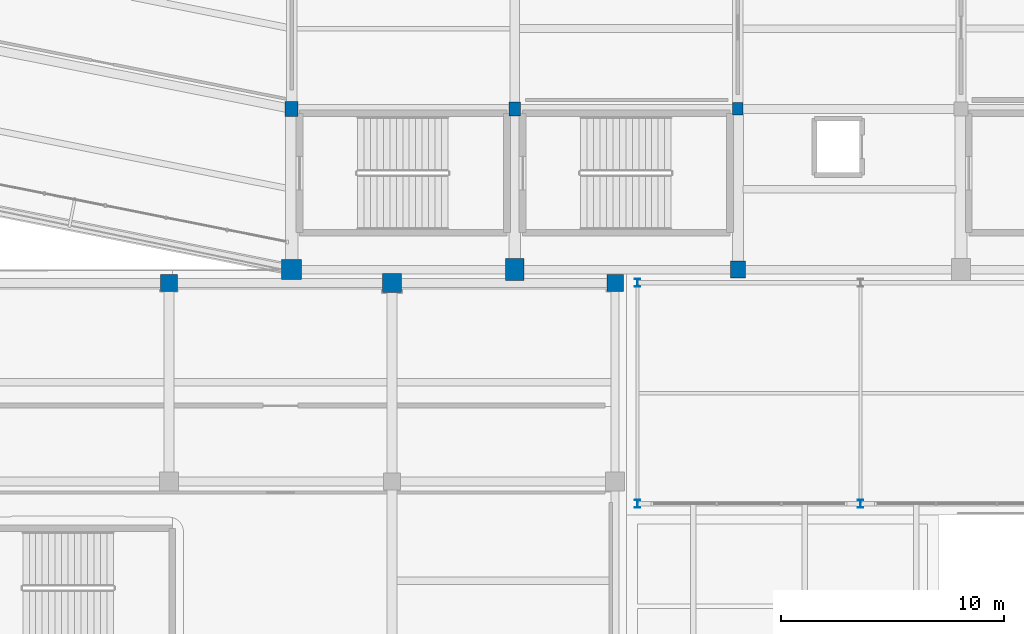
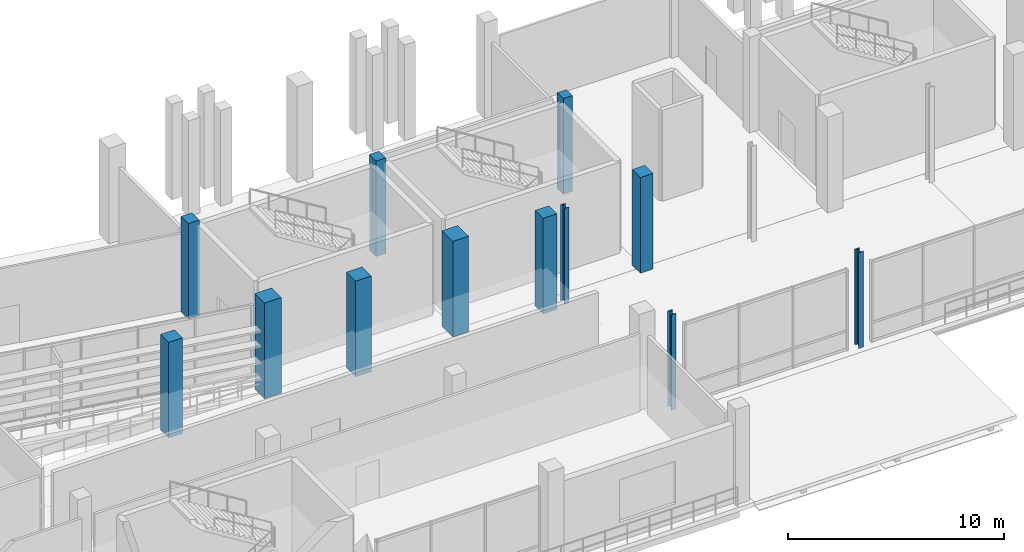
# One storey, part 2 of 114: 12 columns.
"""IFC4 building model written with IfcOpenShell, lengths in metres."""

from ifc_helpers import new_model, si_unit, direction, frame, origin, origin_2d, place, context, subcontext, project, spatial, rectangle, i_section, extrude, material, material_profile, profile_set, type_object, element, save


model = new_model("IFC4")

# Units and contexts
model_context = context("Model", 3, precision=1e-05, world=origin(), true_north=direction((0.0, 1.0)))
body_context = subcontext(model_context, "Body", "Model", "MODEL_VIEW")
ifc_project = project(units=[si_unit("LENGTHUNIT", "METRE"), si_unit("AREAUNIT", "SQUARE_METRE"), si_unit("VOLUMEUNIT", "CUBIC_METRE"), si_unit("PLANEANGLEUNIT", "RADIAN"), si_unit("MASSUNIT", "GRAM", prefix="KILO")], contexts=[model_context])

# Site, building, storey
site_placement = place(None, origin())
site = spatial("IfcSite", under=ifc_project, at=site_placement, CompositionType="ELEMENT")
building_placement = place(site_placement, origin())
building = spatial("IfcBuilding", under=site, at=building_placement, Name="Candeia Ridge Stadium", CompositionType="ELEMENT")
storey_placement = place(building_placement, frame((0.0, 0.0, 5.39990234375)))
storey = spatial("IfcBuildingStorey", under=building, at=storey_placement, Name="L01", CompositionType="ELEMENT", Elevation=5.39990234375)

# Columns
ifc_material_1 = material(Name="Concrete C45/55", Category="concrete")
ifc_material_profile_1 = material_profile(ifc_material_1, rectangle(XDim=0.89990234375, YDim=0.89990234375, at=origin_2d()), Name="RC900x900", Category="concrete")
ifc_profile_set_1 = profile_set([ifc_material_profile_1], Name="Concrete C45/55")
column_type_1 = type_object("IfcColumnType", Name="Bowl Spine Column RC900x900", PredefinedType="COLUMN", material=ifc_profile_set_1)
column_1_placement = place(storey_placement, frame((71.0, 19.0, 0.0), z_axis=(0.0, 0.0, 1.0), x_axis=(1.0, 0.0, 0.0)))
element("IfcColumn", 1, at=column_1_placement, inside=storey, type_object=column_type_1, Name="Structural column BC-OU-18 L01", PredefinedType="COLUMN", context=body_context, shape_type="SweptSolid", body=[
    extrude(rectangle(XDim=0.89990234375, YDim=0.89990234375, at=origin_2d()), origin(), (0.0, 0.0, 1.0), 5.400146484375),
])
ifc_material_2 = material(Name="Steel ASTM A572 Grade 50", Category="steel")
ifc_material_profile_2 = material_profile(ifc_material_2, i_section(OverallWidth=0.257080078125, OverallDepth=0.363037109375, WebThickness=0.012939453125, FlangeThickness=0.021728515625, FilletRadius=0.014892578125, at=origin_2d()), Name="W360x122", Category="steel")
ifc_profile_set_2 = profile_set([ifc_material_profile_2], Name="Steel ASTM A572 Grade 50")
column_type_2 = type_object("IfcColumnType", Name="Gate Steel Column W360x122", PredefinedType="COLUMN", material=ifc_profile_set_2)
for number, where, z_axis, x_axis, name in (
    (2, (86.5, 8.5, 0.0), (0.0, 0.0, 1.0), (1.0, 0.0, 0.0), "Structural column SG-00-00 L01"),
    (3, (86.5, 18.39990234375, 0.0), (0.0, 0.0, 1.0), (1.0, 0.0, 0.0), "Structural column SG-00-01 L01"),
    (4, (96.5, 8.5, 0.0), (0.0, 0.0, 1.0), (1.0, 0.0, 0.0), "Structural column SG-01-00 L01"),
):
    element("IfcColumn", number, at=place(storey_placement, frame(where, z_axis=z_axis, x_axis=x_axis)), inside=storey, type_object=column_type_2, Name=name, PredefinedType="COLUMN", context=body_context, shape_type="SweptSolid", body=[
        extrude(i_section(OverallWidth=0.257080078125, OverallDepth=0.363037109375, WebThickness=0.012939453125, FlangeThickness=0.021728515625, FilletRadius=0.014892578125, at=origin_2d()), origin(), (0.0, 0.0, 1.0), 5.400146484375),
    ])
ifc_material_3 = material(Name="Concrete C40/50", Category="concrete")
ifc_material_profile_3 = material_profile(ifc_material_3, rectangle(XDim=0.47998046875, YDim=0.56005859375, at=origin_2d()), Name="RC480x560", Category="concrete")
ifc_profile_set_3 = profile_set([ifc_material_profile_3], Name="Concrete C40/50")
column_type_3 = type_object("IfcColumnType", Name="Graduated Frame Column RC480x560", PredefinedType="COLUMN", material=ifc_profile_set_3)
column_2_placement = place(storey_placement, frame((91.0, 26.199951171875, 0.0), z_axis=(0.0, 0.0, 1.0), x_axis=(1.0, 0.0, 0.0)))
element("IfcColumn", 5, at=column_2_placement, inside=storey, type_object=column_type_3, Name="Structural column BC-M2-20 L01", PredefinedType="COLUMN", context=body_context, shape_type="SweptSolid", body=[
    extrude(rectangle(XDim=0.47998046875, YDim=0.56005859375, at=origin_2d()), origin(), (0.0, 0.0, 1.0), 5.400146484375),
])
ifc_material_profile_4 = material_profile(ifc_material_3, rectangle(XDim=0.52001953125, YDim=0.6201171875, at=origin_2d()), Name="RC520x620", Category="concrete")
ifc_profile_set_4 = profile_set([ifc_material_profile_4], Name="Concrete C40/50")
column_type_4 = type_object("IfcColumnType", Name="Graduated Frame Column RC520x620", PredefinedType="COLUMN", material=ifc_profile_set_4)
column_3_placement = place(storey_placement, frame((81.0, 26.199951171875, 0.0), z_axis=(0.0, 0.0, 1.0), x_axis=(1.0, 0.0, 0.0)))
element("IfcColumn", 6, at=column_3_placement, inside=storey, type_object=column_type_4, Name="Structural column BC-M2-19 L01", PredefinedType="COLUMN", context=body_context, shape_type="SweptSolid", body=[
    extrude(rectangle(XDim=0.52001953125, YDim=0.6201171875, at=origin_2d()), origin(), (0.0, 0.0, 1.0), 5.400146484375),
])
ifc_material_profile_5 = material_profile(ifc_material_3, rectangle(XDim=0.580078125, YDim=0.679931640625, at=origin_2d()), Name="RC580x680", Category="concrete")
ifc_profile_set_5 = profile_set([ifc_material_profile_5], Name="Concrete C40/50")
column_type_5 = type_object("IfcColumnType", Name="Graduated Frame Column RC580x680", PredefinedType="COLUMN", material=ifc_profile_set_5)
column_4_placement = place(storey_placement, frame((71.0, 26.199951171875, 0.0), z_axis=(0.0, 0.0, 1.0), x_axis=(1.0, 0.0, 0.0)))
element("IfcColumn", 7, at=column_4_placement, inside=storey, type_object=column_type_5, Name="Structural column BC-M2-18 L01", PredefinedType="COLUMN", context=body_context, shape_type="SweptSolid", body=[
    extrude(rectangle(XDim=0.580078125, YDim=0.679931640625, at=origin_2d()), origin(), (0.0, 0.0, 1.0), 5.400146484375),
])
ifc_material_profile_6 = material_profile(ifc_material_3, rectangle(XDim=0.679931640625, YDim=0.760009765625, at=origin_2d()), Name="RC680x760", Category="concrete")
ifc_profile_set_6 = profile_set([ifc_material_profile_6], Name="Concrete C40/50")
column_type_6 = type_object("IfcColumnType", Name="Graduated Frame Column RC680x760", PredefinedType="COLUMN", material=ifc_profile_set_6)
column_5_placement = place(storey_placement, frame((91.0, 19.0, 0.0), z_axis=(0.0, 0.0, 1.0), x_axis=(1.0, 0.0, 0.0)))
element("IfcColumn", 8, at=column_5_placement, inside=storey, type_object=column_type_6, Name="Structural column BC-OU-20 L01", PredefinedType="COLUMN", context=body_context, shape_type="SweptSolid", body=[
    extrude(rectangle(XDim=0.679931640625, YDim=0.760009765625, at=origin_2d()), origin(), (0.0, 0.0, 1.0), 5.400146484375),
])
ifc_material_profile_7 = material_profile(ifc_material_3, rectangle(XDim=0.75, YDim=0.75, at=origin_2d()), Name="RC750x750", Category="concrete")
ifc_profile_set_7 = profile_set([ifc_material_profile_7], Name="Concrete C40/50")
column_type_7 = type_object("IfcColumnType", Name="Reinforced Concrete Column RC750x750", PredefinedType="COLUMN", material=ifc_profile_set_7)
for number, where, z_axis, x_axis, name in (
    (9, (65.5, 18.39990234375, 0.0), (0.0, 0.0, 1.0), (1.0, 0.0, 0.0), "Structural column SWW-04-02 L01"),
    (10, (85.5, 18.39990234375, 0.0), (0.0, 0.0, 1.0), (1.0, 0.0, 0.0), "Structural column SWW-06-02 L01"),
):
    element("IfcColumn", number, at=place(storey_placement, frame(where, z_axis=z_axis, x_axis=x_axis)), inside=storey, type_object=column_type_7, Name=name, PredefinedType="COLUMN", context=body_context, shape_type="SweptSolid", body=[
        extrude(rectangle(XDim=0.75, YDim=0.75, at=origin_2d()), origin(), (0.0, 0.0, 1.0), 5.400146484375),
    ])
ifc_material_profile_8 = material_profile(ifc_material_1, rectangle(XDim=0.85009765625, YDim=1.0, at=origin_2d()), Name="RC850x1000", Category="concrete")
ifc_profile_set_8 = profile_set([ifc_material_profile_8], Name="Concrete C45/55")
column_type_8 = type_object("IfcColumnType", Name="Reinforced Concrete Column RC850x1000", PredefinedType="COLUMN", material=ifc_profile_set_8)
column_6_placement = place(storey_placement, frame((81.0, 19.0, 0.0), z_axis=(0.0, 0.0, 1.0), x_axis=(1.0, 0.0, 0.0)))
element("IfcColumn", 11, at=column_6_placement, inside=storey, type_object=column_type_8, Name="Structural column BC-OU-19 L01", PredefinedType="COLUMN", context=body_context, shape_type="SweptSolid", body=[
    extrude(rectangle(XDim=0.85009765625, YDim=1.0, at=origin_2d()), origin(), (0.0, 0.0, 1.0), 5.400146484375),
])
ifc_material_profile_9 = material_profile(ifc_material_1, rectangle(XDim=0.85009765625, YDim=0.85009765625, at=origin_2d()), Name="RC850x850", Category="concrete")
ifc_profile_set_9 = profile_set([ifc_material_profile_9], Name="Concrete C45/55")
column_type_9 = type_object("IfcColumnType", Name="Reinforced Concrete Column RC850x850", PredefinedType="COLUMN", material=ifc_profile_set_9)
column_7_placement = place(storey_placement, frame((75.5, 18.39990234375, 0.0), z_axis=(0.0, 0.0, 1.0), x_axis=(1.0, 0.0, 0.0)))
element("IfcColumn", 12, at=column_7_placement, inside=storey, type_object=column_type_9, Name="Structural column SWW-05-02 L01", PredefinedType="COLUMN", context=body_context, shape_type="SweptSolid", body=[
    extrude(rectangle(XDim=0.85009765625, YDim=0.85009765625, at=origin_2d()), origin(), (0.0, 0.0, 1.0), 5.400146484375),
])

save(model, "model.ifc")
